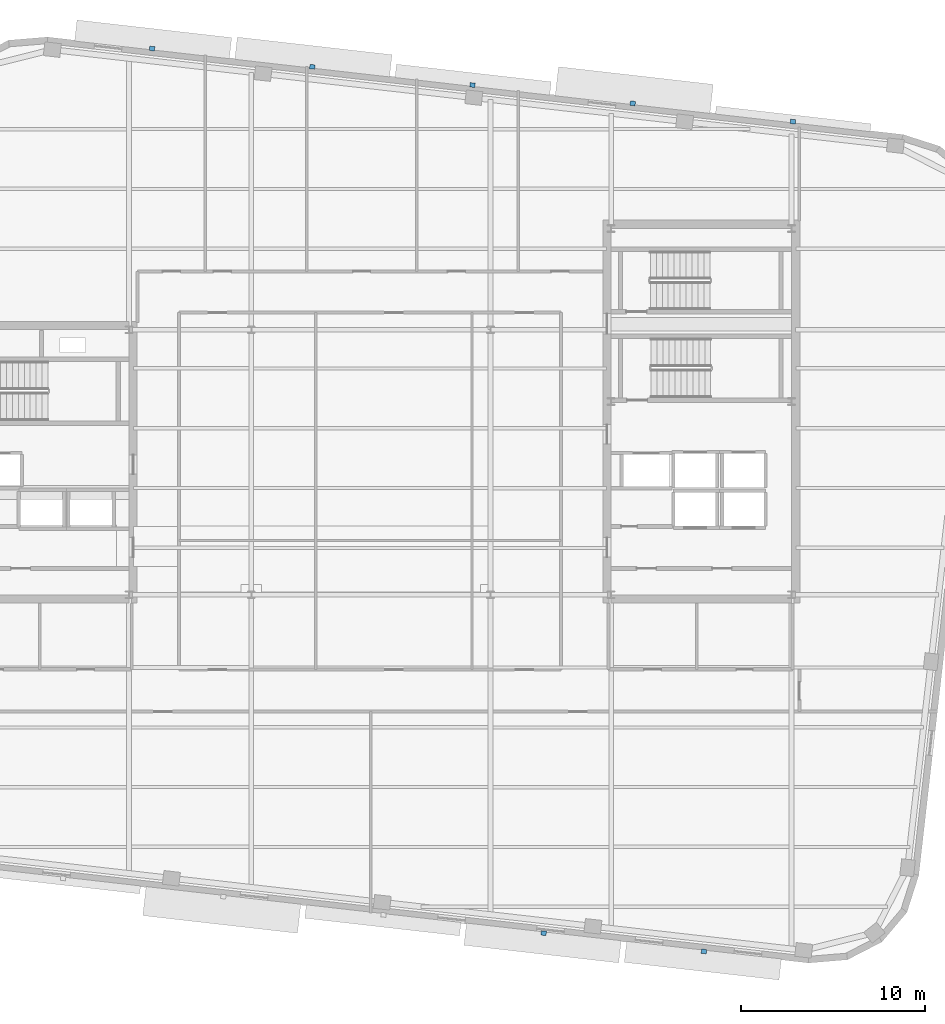
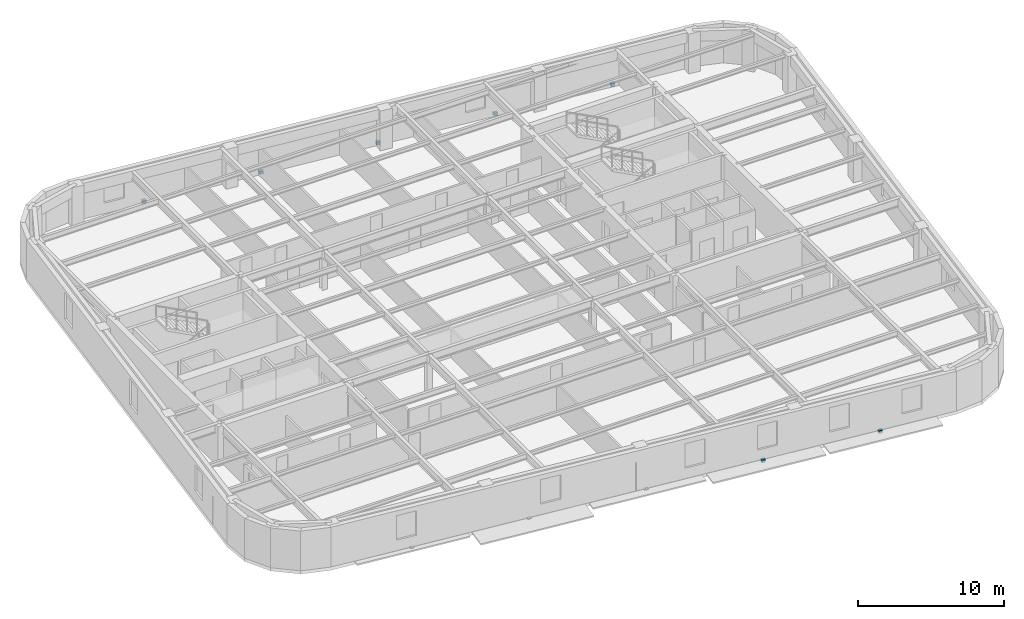
# One storey, part 9 of 13: 7 discrete accessories.
"""IFC4 building model written with IfcOpenShell, lengths in metres."""

from ifc_helpers import new_model, si_unit, direction, frame, origin, origin_2d, place, context, subcontext, project, spatial, rectangle, extrude, material, type_object, element, save


model = new_model("IFC4")

# Units and contexts
model_context = context("Model", 3, precision=1e-05, world=origin(), true_north=direction((0.0, 1.0)))
body_context = subcontext(model_context, "Body", "Model", "MODEL_VIEW")
ifc_project = project(units=[si_unit("LENGTHUNIT", "METRE"), si_unit("AREAUNIT", "SQUARE_METRE"), si_unit("VOLUMEUNIT", "CUBIC_METRE"), si_unit("PLANEANGLEUNIT", "RADIAN"), si_unit("MASSUNIT", "GRAM", prefix="KILO")], contexts=[model_context])

# Site, building, storey
site_placement = place(None, origin())
site = spatial("IfcSite", under=ifc_project, at=site_placement, CompositionType="ELEMENT")
building_placement = place(site_placement, origin())
building = spatial("IfcBuilding", under=site, at=building_placement, Name="Kolvaren Arena Tower", CompositionType="ELEMENT")
storey_placement = place(building_placement, frame((0.0, 0.0, 265.949951171875)))
storey = spatial("IfcBuildingStorey", under=building, at=storey_placement, Name="L65", CompositionType="ELEMENT", Elevation=265.949951171875)

# Discrete accessories
ifc_material = material(Name="Stainless steel facade support bracket", Category="steel")
discrete_accessory_type = type_object("IfcDiscreteAccessoryType", Name="ACC-BRKT-1", PredefinedType="BRACKET", material=ifc_material)
for number, where, z_axis, x_axis, name in (
    (1, (25.60986328125, 49.12451171875, -0.18017578125), (0.0, 0.0, 1.0), (0.993571658098, -0.113204947878, 0.0), "Sunshade Support Bracket (L65)"),
    (2, (34.313720703125, 48.1328125, -0.18017578125), (0.0, 0.0, 1.0), (0.993571658098, -0.113204947878, 0.0), "Sunshade Support Bracket (L65)"),
    (3, (43.017333984375, 47.141357421875, -0.18017578125), (0.0, 0.0, 1.0), (0.993571658098, -0.113204947878, 0.0), "Sunshade Support Bracket (L65)"),
    (4, (51.720947265625, 46.149658203125, -0.18017578125), (0.0, 0.0, 1.0), (0.993571658098, -0.113204947878, 0.0), "Sunshade Support Bracket (L65)"),
    (5, (60.424560546875, 45.157958984375, -0.18017578125), (0.0, 0.0, 1.0), (0.993571658098, -0.113204947878, 0.0), "Sunshade Support Bracket (L65)"),
    (6, (55.590087890625, 0.075439453125, -0.18017578125), (0.0, 0.0, 1.0), (-0.993571658098, 0.113204947878, 0.0), "Sunshade Support Bracket (L65)"),
    (7, (46.886474609375, 1.067138671875, -0.18017578125), (0.0, 0.0, 1.0), (-0.993571658098, 0.113204947878, 0.0), "Sunshade Support Bracket (L65)"),
):
    element("IfcDiscreteAccessory", number, at=place(storey_placement, frame(where, z_axis=z_axis, x_axis=x_axis)), inside=storey, type_object=discrete_accessory_type, Name=name, PredefinedType="BRACKET", context=body_context, shape_type="SweptSolid", body=[
        extrude(rectangle(XDim=0.280029296875, YDim=0.239990234375, at=origin_2d()), origin(), (0.0, 0.0, 1.0), 0.239990234375),
    ])

save(model, "model.ifc")
